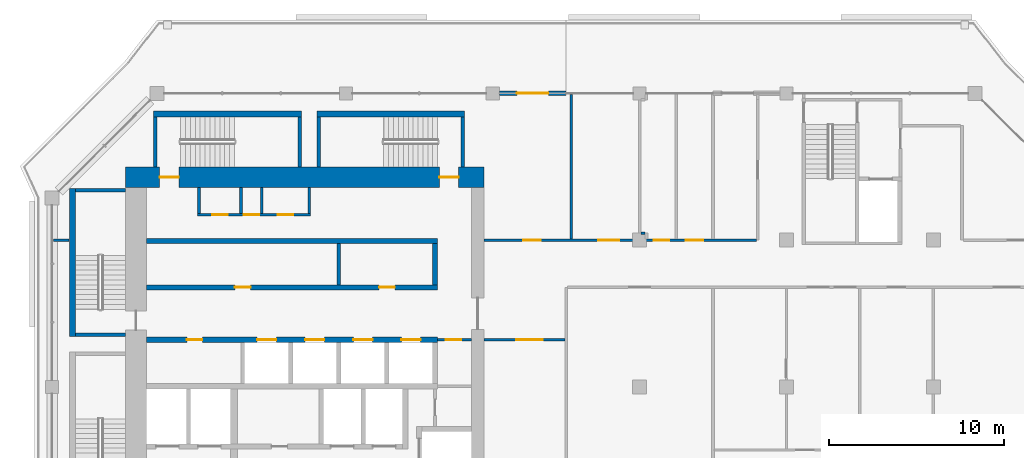
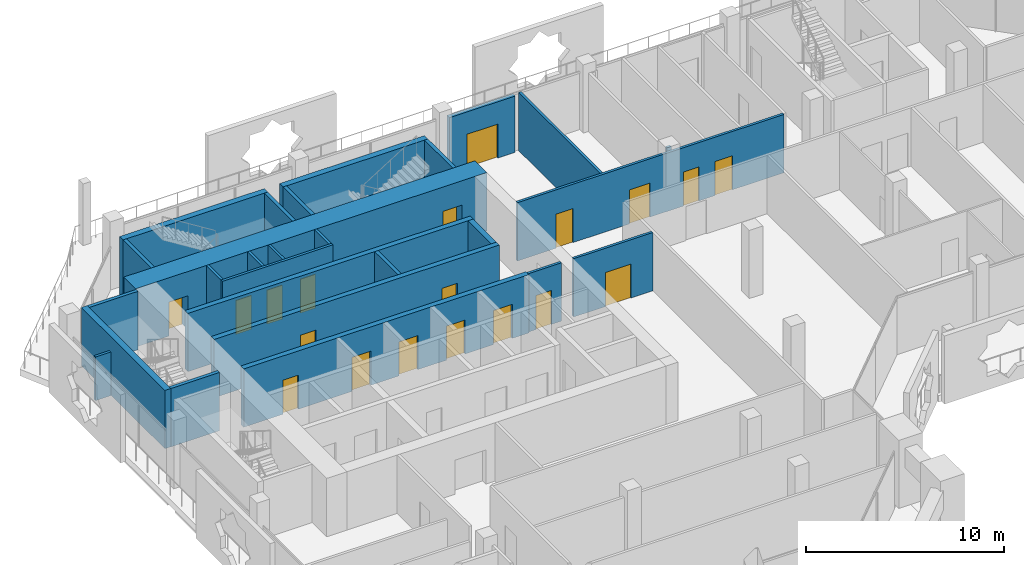
# One storey, part 12 of 20: 27 walls, 19 doors, 19 openings.
"""IFC4 building model written with IfcOpenShell, lengths in metres."""

from ifc_helpers import new_model, si_unit, direction, frame, frame_2d, origin, place, context, subcontext, project, spatial, rectangle, extrude, material, layer, layer_set, type_object, element, fill, save


model = new_model("IFC4")

# Units and contexts
model_context = context("Model", 3, precision=1e-05, world=origin(), true_north=direction((0.0, 1.0)))
body_context = subcontext(model_context, "Body", "Model", "MODEL_VIEW")
ifc_project = project(units=[si_unit("LENGTHUNIT", "METRE"), si_unit("AREAUNIT", "SQUARE_METRE"), si_unit("VOLUMEUNIT", "CUBIC_METRE"), si_unit("PLANEANGLEUNIT", "RADIAN"), si_unit("MASSUNIT", "GRAM", prefix="KILO")], contexts=[model_context])

# Site, building, storey
site_placement = place(None, origin())
site = spatial("IfcSite", under=ifc_project, at=site_placement, CompositionType="ELEMENT")
building_placement = place(site_placement, origin())
building = spatial("IfcBuilding", under=site, at=building_placement, Name="Kawkab Arch Medical Tower", CompositionType="ELEMENT")
storey_placement = place(building_placement, frame((0.0, 0.0, 290.199951171875)))
storey = spatial("IfcBuildingStorey", under=building, at=storey_placement, Name="L67", CompositionType="ELEMENT", Elevation=290.199951171875)

# Wall, openings, doors
ifc_material_1 = material(Name="Concrete C50/60", Category="concrete")
ifc_layer_1 = layer(ifc_material_1, 1.199951171875)
ifc_layer_set_1 = layer_set([ifc_layer_1], Name="Concrete C50/60")
wall_type_1 = type_object("IfcWallType", Name="Core ring wall 1200 C50/60", PredefinedType="SHEAR", material=ifc_layer_set_1)
wall_1_placement = place(storey_placement, frame((4.199951171875, -4.800048828125, 0.0), z_axis=(0.0, 0.0, 1.0), x_axis=(1.0, 0.0, 0.0)))
wall_1 = element("IfcWall", 1, at=wall_1_placement, inside=storey, type_object=wall_type_1, Name="L67 core wall", PredefinedType="SHEAR", context=body_context, shape_type="SweptSolid", body=[
    extrude(rectangle(XDim=20.5, YDim=1.199951171875, at=frame_2d((10.25, 0.0))), origin(), (0.0, 0.0, 1.0), 3.60009765625),
])
opening_1_placement = place(wall_1_placement, frame((1.949951171875, 0.0, 0.0)))
opening_1 = element("IfcOpeningElement", 2, at=opening_1_placement, cuts=wall_1, Name="Opening SD", PredefinedType="OPENING", context=body_context, shape_type="SweptSolid", body=[
    extrude(rectangle(XDim=1.10009765625, YDim=2.10009765625, at=frame_2d((0.550048828125, 1.050048828125))), frame((0.0, 0.60986328125, 0.0), z_axis=(0.0, -1.0, 0.0), x_axis=(1.0, 0.0, 0.0)), (0.0, 0.0, 1.0), 1.219970703125),
])
opening_2_placement = place(wall_1_placement, frame((17.949951171875, 0.0, 0.0)))
opening_2 = element("IfcOpeningElement", 3, at=opening_2_placement, cuts=wall_1, Name="Opening SD", PredefinedType="OPENING", context=body_context, shape_type="SweptSolid", body=[
    extrude(rectangle(XDim=1.10009765625, YDim=2.10009765625, at=frame_2d((0.550048828125, 1.050048828125))), frame((0.0, 0.60986328125, 0.0), z_axis=(0.0, -1.0, 0.0), x_axis=(1.0, 0.0, 0.0)), (0.0, 0.0, 1.0), 1.219970703125),
])
ifc_material_2 = material(Name="Hollow metal fire door leaf")
door_type_1 = type_object("IfcDoorType", Name="Exit stair door 1100", OperationType="SINGLE_SWING_LEFT", PredefinedType="DOOR", material=ifc_material_2)
door_1_placement = place(opening_1_placement, origin())
door_1 = element("IfcDoor", 4, at=door_1_placement, inside=storey, type_object=door_type_1, Name="L67 Exit stair ST3 door", OperationType="SINGLE_SWING_LEFT", OverallHeight=2.10009765625, OverallWidth=1.10009765625, PredefinedType="DOOR", context=body_context, shape_type="SweptSolid", body=[
    extrude(rectangle(XDim=1.10009765625, YDim=2.10009765625, at=frame_2d((0.550048828125, 1.050048828125))), frame((0.0, 0.02490234375, 0.0), z_axis=(0.0, -1.0, 0.0), x_axis=(1.0, 0.0, 0.0)), (0.0, 0.0, 1.0), 0.050048828125),
])
fill(opening_1, door_1)
door_2_placement = place(opening_2_placement, origin())
door_2 = element("IfcDoor", 5, at=door_2_placement, inside=storey, type_object=door_type_1, Name="L67 Exit stair ST4 door", OperationType="SINGLE_SWING_LEFT", OverallHeight=2.10009765625, OverallWidth=1.10009765625, PredefinedType="DOOR", context=body_context, shape_type="SweptSolid", body=[
    extrude(rectangle(XDim=1.10009765625, YDim=2.10009765625, at=frame_2d((0.550048828125, 1.050048828125))), frame((0.0, 0.02490234375, 0.0), z_axis=(0.0, -1.0, 0.0), x_axis=(1.0, 0.0, 0.0)), (0.0, 0.0, 1.0), 0.050048828125),
])
fill(opening_2, door_2)

# Wall, opening, door
ifc_material_3 = material(Name="Gypsum board on steel studs", Category="steel")
ifc_layer_2 = layer(ifc_material_3, 0.14990234375)
ifc_layer_set_2 = layer_set([ifc_layer_2], Name="Gypsum board on steel studs")
wall_type_2 = type_object("IfcWallType", Name="Core room partition 150", PredefinedType="PARTITIONING", material=ifc_layer_set_2)
wall_2_placement = place(storey_placement, frame((22.050048828125, -14.10009765625, 0.0), z_axis=(0.0, 0.0, 1.0), x_axis=(1.0, 0.0, 0.0)))
wall_2 = element("IfcWall", 6, at=wall_2_placement, inside=storey, type_object=wall_type_2, Name="L67 core room partition", PredefinedType="PARTITIONING", context=body_context, shape_type="SweptSolid", body=[
    extrude(rectangle(XDim=1.949951171875, YDim=0.14990234375, at=frame_2d((0.97509765625, 0.0))), origin(), (0.0, 0.0, 1.0), 3.60009765625),
])
opening_3_placement = place(wall_2_placement, frame((0.449951171875, 0.0, 0.0)))
opening_3 = element("IfcOpeningElement", 7, at=opening_3_placement, cuts=wall_2, Name="Opening RD", PredefinedType="OPENING", context=body_context, shape_type="SweptSolid", body=[
    extrude(rectangle(XDim=0.89990234375, YDim=2.10009765625, at=frame_2d((0.449951171875, 1.050048828125))), frame((0.0, 0.0849609375, 0.0), z_axis=(0.0, -1.0, 0.0), x_axis=(1.0, 0.0, 0.0)), (0.0, 0.0, 1.0), 0.169921875),
])
ifc_material_4 = material(Name="Hollow metal fire door leaf")
door_type_2 = type_object("IfcDoorType", Name="Core room door 900", OperationType="SINGLE_SWING_LEFT", PredefinedType="DOOR", material=ifc_material_4)
door_3_placement = place(opening_3_placement, origin())
door_3 = element("IfcDoor", 8, at=door_3_placement, inside=storey, type_object=door_type_2, Name="L67 Medication store door", OperationType="SINGLE_SWING_LEFT", OverallHeight=2.10009765625, OverallWidth=0.89990234375, PredefinedType="DOOR", context=body_context, shape_type="SweptSolid", body=[
    extrude(rectangle(XDim=0.89990234375, YDim=2.10009765625, at=frame_2d((0.449951171875, 1.050048828125))), frame((0.0, 0.02490234375, 0.0), z_axis=(0.0, -1.0, 0.0), x_axis=(1.0, 0.0, 0.0)), (0.0, 0.0, 1.0), 0.050048828125),
])
fill(opening_3, door_3)

# Wall, openings, doors
wall_3_placement = place(storey_placement, frame((8.324951171875, -6.949951171875, 0.0), z_axis=(0.0, 0.0, 1.0), x_axis=(1.0, 0.0, 0.0)))
wall_3 = element("IfcWall", 9, at=wall_3_placement, inside=storey, type_object=wall_type_2, Name="L67 core room partition", PredefinedType="PARTITIONING", context=body_context, shape_type="SweptSolid", body=[
    extrude(rectangle(XDim=6.449951171875, YDim=0.14990234375, at=frame_2d((3.22509765625, 0.0))), origin(), (0.0, 0.0, 1.0), 3.60009765625),
])
opening_4_placement = place(wall_3_placement, frame((0.824951171875, 0.0, 0.0)))
opening_4 = element("IfcOpeningElement", 10, at=opening_4_placement, cuts=wall_3, Name="Opening RD", PredefinedType="OPENING", context=body_context, shape_type="SweptSolid", body=[
    extrude(rectangle(XDim=0.89990234375, YDim=2.10009765625, at=frame_2d((0.449951171875, 1.050048828125))), frame((0.0, 0.0849609375, 0.0), z_axis=(0.0, -1.0, 0.0), x_axis=(1.0, 0.0, 0.0)), (0.0, 0.0, 1.0), 0.169921875),
])
opening_5_placement = place(wall_3_placement, frame((2.625, 0.0, 0.0)))
opening_5 = element("IfcOpeningElement", 11, at=opening_5_placement, cuts=wall_3, Name="Opening RD", PredefinedType="OPENING", context=body_context, shape_type="SweptSolid", body=[
    extrude(rectangle(XDim=0.89990234375, YDim=2.10009765625, at=frame_2d((0.449951171875, 1.050048828125))), frame((0.0, 0.0849609375, 0.0), z_axis=(0.0, -1.0, 0.0), x_axis=(1.0, 0.0, 0.0)), (0.0, 0.0, 1.0), 0.169921875),
])
opening_6_placement = place(wall_3_placement, frame((4.574951171875, 0.0, 0.0)))
opening_6 = element("IfcOpeningElement", 12, at=opening_6_placement, cuts=wall_3, Name="Opening RD", PredefinedType="OPENING", context=body_context, shape_type="SweptSolid", body=[
    extrude(rectangle(XDim=0.89990234375, YDim=2.10009765625, at=frame_2d((0.449951171875, 1.050048828125))), frame((0.0, 0.0849609375, 0.0), z_axis=(0.0, -1.0, 0.0), x_axis=(1.0, 0.0, 0.0)), (0.0, 0.0, 1.0), 0.169921875),
])
door_4_placement = place(opening_4_placement, origin())
door_4 = element("IfcDoor", 13, at=door_4_placement, inside=storey, type_object=door_type_2, Name="L67 Housekeeping store door", OperationType="SINGLE_SWING_LEFT", OverallHeight=2.10009765625, OverallWidth=0.89990234375, PredefinedType="DOOR", context=body_context, shape_type="SweptSolid", body=[
    extrude(rectangle(XDim=0.89990234375, YDim=2.10009765625, at=frame_2d((0.449951171875, 1.050048828125))), frame((0.0, 0.02490234375, 0.0), z_axis=(0.0, -1.0, 0.0), x_axis=(1.0, 0.0, 0.0)), (0.0, 0.0, 1.0), 0.050048828125),
])
fill(opening_4, door_4)
door_5_placement = place(opening_5_placement, origin())
door_5 = element("IfcDoor", 14, at=door_5_placement, inside=storey, type_object=door_type_2, Name="L67 Electrical riser room door", OperationType="SINGLE_SWING_LEFT", OverallHeight=2.10009765625, OverallWidth=0.89990234375, PredefinedType="DOOR", context=body_context, shape_type="SweptSolid", body=[
    extrude(rectangle(XDim=0.89990234375, YDim=2.10009765625, at=frame_2d((0.449951171875, 1.050048828125))), frame((0.0, 0.02490234375, 0.0), z_axis=(0.0, -1.0, 0.0), x_axis=(1.0, 0.0, 0.0)), (0.0, 0.0, 1.0), 0.050048828125),
])
fill(opening_5, door_5)
door_6_placement = place(opening_6_placement, origin())
door_6 = element("IfcDoor", 15, at=door_6_placement, inside=storey, type_object=door_type_2, Name="L67 Equipment store door", OperationType="SINGLE_SWING_LEFT", OverallHeight=2.10009765625, OverallWidth=0.89990234375, PredefinedType="DOOR", context=body_context, shape_type="SweptSolid", body=[
    extrude(rectangle(XDim=0.89990234375, YDim=2.10009765625, at=frame_2d((0.449951171875, 1.050048828125))), frame((0.0, 0.02490234375, 0.0), z_axis=(0.0, -1.0, 0.0), x_axis=(1.0, 0.0, 0.0)), (0.0, 0.0, 1.0), 0.050048828125),
])
fill(opening_6, door_6)

# Walls
for number, where, z_axis, x_axis, name in (
    (16, (8.39990234375, -6.875, 0.0), (0.0, 0.0, 1.0), (0.0, 1.0, 0.0), "L67 core room partition"),
    (17, (10.800048828125, -6.875, 0.0), (0.0, 0.0, 1.0), (0.0, 1.0, 0.0), "L67 core room partition"),
    (18, (12.0, -6.875, 0.0), (0.0, 0.0, 1.0), (0.0, 1.0, 0.0), "L67 core room partition"),
    (19, (14.699951171875, -6.875, 0.0), (0.0, 0.0, 1.0), (0.0, 1.0, 0.0), "L67 core room partition"),
):
    element("IfcWall", number, at=place(storey_placement, frame(where, z_axis=z_axis, x_axis=x_axis)), inside=storey, type_object=wall_type_2, Name=name, PredefinedType="PARTITIONING", context=body_context, shape_type="SweptSolid", body=[
        extrude(rectangle(XDim=1.47509765625, YDim=0.14990234375, at=frame_2d((0.737548828125, 0.0))), origin(), (0.0, 0.0, 1.0), 3.60009765625),
    ])
ifc_material_5 = material(Name="Concrete C60/75", Category="concrete")
ifc_layer_3 = layer(ifc_material_5, 0.300048828125)
ifc_layer_set_3 = layer_set([ifc_layer_3], Name="Concrete C60/75")
wall_type_3 = type_object("IfcWallType", Name="Core shear wall 300 C60/75", PredefinedType="SHEAR", material=ifc_layer_set_3)
wall_4_placement = place(storey_placement, frame((5.39990234375, -8.449951171875, 0.0), z_axis=(0.0, 0.0, 1.0), x_axis=(1.0, 0.0, 0.0)))
element("IfcWall", 20, at=wall_4_placement, inside=storey, type_object=wall_type_3, Name="L67 core shear wall", PredefinedType="SHEAR", context=body_context, shape_type="SweptSolid", body=[
    extrude(rectangle(XDim=16.650146484375, YDim=0.300048828125, at=frame_2d((8.3251953125, 0.0))), origin(), (0.0, 0.0, 1.0), 3.60009765625),
])

# Wall, openings, doors
wall_5_placement = place(storey_placement, frame((5.39990234375, -11.10009765625, 0.0), z_axis=(0.0, 0.0, 1.0), x_axis=(1.0, 0.0, 0.0)))
wall_5 = element("IfcWall", 21, at=wall_5_placement, inside=storey, type_object=wall_type_3, Name="L67 core shear wall", PredefinedType="SHEAR", context=body_context, shape_type="SweptSolid", body=[
    extrude(rectangle(XDim=16.650146484375, YDim=0.300048828125, at=frame_2d((8.3251953125, 0.0))), origin(), (0.0, 0.0, 1.0), 3.60009765625),
])
opening_7_placement = place(wall_5_placement, frame((5.050048828125, 0.0, 0.0)))
opening_7 = element("IfcOpeningElement", 22, at=opening_7_placement, cuts=wall_5, Name="Opening RD", PredefinedType="OPENING", context=body_context, shape_type="SweptSolid", body=[
    extrude(rectangle(XDim=0.89990234375, YDim=2.10009765625, at=frame_2d((0.449951171875, 1.050048828125))), frame((0.0, 0.159912109375, 0.0), z_axis=(0.0, -1.0, 0.0), x_axis=(1.0, 0.0, 0.0)), (0.0, 0.0, 1.0), 0.320068359375),
])
opening_8_placement = place(wall_5_placement, frame((13.300048828125, 0.0, 0.0)))
opening_8 = element("IfcOpeningElement", 23, at=opening_8_placement, cuts=wall_5, Name="Opening RD", PredefinedType="OPENING", context=body_context, shape_type="SweptSolid", body=[
    extrude(rectangle(XDim=0.89990234375, YDim=2.10009765625, at=frame_2d((0.449951171875, 1.050048828125))), frame((0.0, 0.159912109375, 0.0), z_axis=(0.0, -1.0, 0.0), x_axis=(1.0, 0.0, 0.0)), (0.0, 0.0, 1.0), 0.320068359375),
])
door_7_placement = place(opening_7_placement, origin())
door_7 = element("IfcDoor", 24, at=door_7_placement, inside=storey, type_object=door_type_2, Name="L67 Housekeeping store door", OperationType="SINGLE_SWING_LEFT", OverallHeight=2.10009765625, OverallWidth=0.89990234375, PredefinedType="DOOR", context=body_context, shape_type="SweptSolid", body=[
    extrude(rectangle(XDim=0.89990234375, YDim=2.10009765625, at=frame_2d((0.449951171875, 1.050048828125))), frame((0.0, 0.02490234375, 0.0), z_axis=(0.0, -1.0, 0.0), x_axis=(1.0, 0.0, 0.0)), (0.0, 0.0, 1.0), 0.050048828125),
])
fill(opening_7, door_7)
door_8_placement = place(opening_8_placement, origin())
door_8 = element("IfcDoor", 25, at=door_8_placement, inside=storey, type_object=door_type_2, Name="L67 Medication store door", OperationType="SINGLE_SWING_LEFT", OverallHeight=2.10009765625, OverallWidth=0.89990234375, PredefinedType="DOOR", context=body_context, shape_type="SweptSolid", body=[
    extrude(rectangle(XDim=0.89990234375, YDim=2.10009765625, at=frame_2d((0.449951171875, 1.050048828125))), frame((0.0, 0.02490234375, 0.0), z_axis=(0.0, -1.0, 0.0), x_axis=(1.0, 0.0, 0.0)), (0.0, 0.0, 1.0), 0.050048828125),
])
fill(opening_8, door_8)

wall_6_placement = place(storey_placement, frame((5.39990234375, -14.10009765625, 0.0), z_axis=(0.0, 0.0, 1.0), x_axis=(1.0, 0.0, 0.0)))
wall_6 = element("IfcWall", 26, at=wall_6_placement, inside=storey, type_object=wall_type_3, Name="L67 core shear wall", PredefinedType="SHEAR", context=body_context, shape_type="SweptSolid", body=[
    extrude(rectangle(XDim=16.650146484375, YDim=0.300048828125, at=frame_2d((8.3251953125, 0.0))), origin(), (0.0, 0.0, 1.0), 3.60009765625),
])
opening_9_placement = place(wall_6_placement, frame((6.324951171875, 0.0, 0.0)))
opening_9 = element("IfcOpeningElement", 27, at=opening_9_placement, cuts=wall_6, Name="Opening LD1", PredefinedType="OPENING", context=body_context, shape_type="SweptSolid", body=[
    extrude(rectangle(XDim=1.10009765625, YDim=2.10009765625, at=frame_2d((0.550048828125, 1.050048828125))), frame((0.0, 0.159912109375, 0.0), z_axis=(0.0, -1.0, 0.0), x_axis=(1.0, 0.0, 0.0)), (0.0, 0.0, 1.0), 0.320068359375),
])
opening_10_placement = place(wall_6_placement, frame((9.074951171875, 0.0, 0.0)))
opening_10 = element("IfcOpeningElement", 28, at=opening_10_placement, cuts=wall_6, Name="Opening LD1", PredefinedType="OPENING", context=body_context, shape_type="SweptSolid", body=[
    extrude(rectangle(XDim=1.10009765625, YDim=2.10009765625, at=frame_2d((0.550048828125, 1.050048828125))), frame((0.0, 0.159912109375, 0.0), z_axis=(0.0, -1.0, 0.0), x_axis=(1.0, 0.0, 0.0)), (0.0, 0.0, 1.0), 0.320068359375),
])
opening_11_placement = place(wall_6_placement, frame((11.824951171875, 0.0, 0.0)))
opening_11 = element("IfcOpeningElement", 29, at=opening_11_placement, cuts=wall_6, Name="Opening LD1", PredefinedType="OPENING", context=body_context, shape_type="SweptSolid", body=[
    extrude(rectangle(XDim=1.10009765625, YDim=2.10009765625, at=frame_2d((0.550048828125, 1.050048828125))), frame((0.0, 0.159912109375, 0.0), z_axis=(0.0, -1.0, 0.0), x_axis=(1.0, 0.0, 0.0)), (0.0, 0.0, 1.0), 0.320068359375),
])
opening_12_placement = place(wall_6_placement, frame((14.574951171875, 0.0, 0.0)))
opening_12 = element("IfcOpeningElement", 30, at=opening_12_placement, cuts=wall_6, Name="Opening LD1", PredefinedType="OPENING", context=body_context, shape_type="SweptSolid", body=[
    extrude(rectangle(XDim=1.10009765625, YDim=2.10009765625, at=frame_2d((0.550048828125, 1.050048828125))), frame((0.0, 0.159912109375, 0.0), z_axis=(0.0, -1.0, 0.0), x_axis=(1.0, 0.0, 0.0)), (0.0, 0.0, 1.0), 0.320068359375),
])
opening_13_placement = place(wall_6_placement, frame((2.300048828125, 0.0, 0.0)))
opening_13 = element("IfcOpeningElement", 31, at=opening_13_placement, cuts=wall_6, Name="Opening RD", PredefinedType="OPENING", context=body_context, shape_type="SweptSolid", body=[
    extrude(rectangle(XDim=0.89990234375, YDim=2.10009765625, at=frame_2d((0.449951171875, 1.050048828125))), frame((0.0, 0.159912109375, 0.0), z_axis=(0.0, -1.0, 0.0), x_axis=(1.0, 0.0, 0.0)), (0.0, 0.0, 1.0), 0.320068359375),
])
door_9_placement = place(opening_13_placement, origin())
door_9 = element("IfcDoor", 32, at=door_9_placement, inside=storey, type_object=door_type_2, Name="L67 General store door", OperationType="SINGLE_SWING_LEFT", OverallHeight=2.10009765625, OverallWidth=0.89990234375, PredefinedType="DOOR", context=body_context, shape_type="SweptSolid", body=[
    extrude(rectangle(XDim=0.89990234375, YDim=2.10009765625, at=frame_2d((0.449951171875, 1.050048828125))), frame((0.0, 0.02490234375, 0.0), z_axis=(0.0, -1.0, 0.0), x_axis=(1.0, 0.0, 0.0)), (0.0, 0.0, 1.0), 0.050048828125),
])
fill(opening_13, door_9)
ifc_material_6 = material(Name="Stainless steel lift door leaf", Category="steel")
door_type_3 = type_object("IfcDoorType", Name="Lift landing door 1100", OperationType="DOUBLE_DOOR_SLIDING", PredefinedType="DOOR", material=ifc_material_6)
door_10_placement = place(opening_9_placement, origin())
door_10 = element("IfcDoor", 33, at=door_10_placement, inside=storey, type_object=door_type_3, Name="L67 Lift landing door HP1", OperationType="DOUBLE_DOOR_SLIDING", OverallHeight=2.10009765625, OverallWidth=1.10009765625, PredefinedType="DOOR", context=body_context, shape_type="SweptSolid", body=[
    extrude(rectangle(XDim=1.10009765625, YDim=2.10009765625, at=frame_2d((0.550048828125, 1.050048828125))), frame((0.0, 0.02490234375, 0.0), z_axis=(0.0, -1.0, 0.0), x_axis=(1.0, 0.0, 0.0)), (0.0, 0.0, 1.0), 0.050048828125),
])
fill(opening_9, door_10)
door_11_placement = place(opening_10_placement, origin())
door_11 = element("IfcDoor", 34, at=door_11_placement, inside=storey, type_object=door_type_3, Name="L67 Lift landing door HP2", OperationType="DOUBLE_DOOR_SLIDING", OverallHeight=2.10009765625, OverallWidth=1.10009765625, PredefinedType="DOOR", context=body_context, shape_type="SweptSolid", body=[
    extrude(rectangle(XDim=1.10009765625, YDim=2.10009765625, at=frame_2d((0.550048828125, 1.050048828125))), frame((0.0, 0.02490234375, 0.0), z_axis=(0.0, -1.0, 0.0), x_axis=(1.0, 0.0, 0.0)), (0.0, 0.0, 1.0), 0.050048828125),
])
fill(opening_10, door_11)
door_12_placement = place(opening_11_placement, origin())
door_12 = element("IfcDoor", 35, at=door_12_placement, inside=storey, type_object=door_type_3, Name="L67 Lift landing door HP3", OperationType="DOUBLE_DOOR_SLIDING", OverallHeight=2.10009765625, OverallWidth=1.10009765625, PredefinedType="DOOR", context=body_context, shape_type="SweptSolid", body=[
    extrude(rectangle(XDim=1.10009765625, YDim=2.10009765625, at=frame_2d((0.550048828125, 1.050048828125))), frame((0.0, 0.02490234375, 0.0), z_axis=(0.0, -1.0, 0.0), x_axis=(1.0, 0.0, 0.0)), (0.0, 0.0, 1.0), 0.050048828125),
])
fill(opening_11, door_12)
door_13_placement = place(opening_12_placement, origin())
door_13 = element("IfcDoor", 36, at=door_13_placement, inside=storey, type_object=door_type_3, Name="L67 Lift landing door HP4", OperationType="DOUBLE_DOOR_SLIDING", OverallHeight=2.10009765625, OverallWidth=1.10009765625, PredefinedType="DOOR", context=body_context, shape_type="SweptSolid", body=[
    extrude(rectangle(XDim=1.10009765625, YDim=2.10009765625, at=frame_2d((0.550048828125, 1.050048828125))), frame((0.0, 0.02490234375, 0.0), z_axis=(0.0, -1.0, 0.0), x_axis=(1.0, 0.0, 0.0)), (0.0, 0.0, 1.0), 0.050048828125),
])
fill(opening_12, door_13)

# Wall
wall_7_placement = place(storey_placement, frame((21.89990234375, -10.949951171875, 0.0), z_axis=(0.0, 0.0, 1.0), x_axis=(0.0, 1.0, 0.0)))
element("IfcWall", 37, at=wall_7_placement, inside=storey, type_object=wall_type_3, Name="L67 core shear wall", PredefinedType="SHEAR", context=body_context, shape_type="SweptSolid", body=[
    extrude(rectangle(XDim=2.349853515625, YDim=0.300048828125, at=frame_2d((1.1748046875, 0.0))), origin(), (0.0, 0.0, 1.0), 3.60009765625),
])

# Wall, opening, door
ifc_material_7 = material(Name="Bronze clad insulated wall panel")
ifc_layer_4 = layer(ifc_material_7, 0.25)
ifc_layer_set_4 = layer_set([ifc_layer_4], Name="Bronze clad insulated wall panel")
wall_type_4 = type_object("IfcWallType", Name="External wall bay 250", PredefinedType="SOLIDWALL", material=ifc_layer_set_4)
wall_8_placement = place(storey_placement, frame((29.39990234375, 0.0, 0.0), z_axis=(0.0, 0.0, 1.0), x_axis=(-1.0, 0.0, 0.0)))
wall_8 = element("IfcWall", 38, at=wall_8_placement, inside=storey, type_object=wall_type_4, Name="External wall bay L67.R15.3.2", PredefinedType="SOLIDWALL", context=body_context, shape_type="SweptSolid", body=[
    extrude(rectangle(XDim=3.824951171875, YDim=0.25, at=frame_2d((1.91259765625, 0.0))), origin(), (0.0, 0.0, 1.0), 3.47998046875),
])
opening_14_placement = place(wall_8_placement, frame((1.012451171875, 0.0, 0.0)))
opening_14 = element("IfcOpeningElement", 39, at=opening_14_placement, cuts=wall_8, Name="Opening W67-701", PredefinedType="OPENING", context=body_context, shape_type="SweptSolid", body=[
    extrude(rectangle(XDim=1.800048828125, YDim=2.10009765625, at=frame_2d((0.89990234375, 1.050048828125))), frame((0.0, 0.135009765625, 0.0), z_axis=(0.0, -1.0, 0.0), x_axis=(1.0, 0.0, 0.0)), (0.0, 0.0, 1.0), 0.27001953125),
])
ifc_material_8 = material(Name="Bronze anodised aluminium door with tinted glass", Category="aluminium")
door_type_4 = type_object("IfcDoorType", Name="Double external door 1800 x 2100", OperationType="DOUBLE_DOOR_SINGLE_SWING", PredefinedType="DOOR", material=ifc_material_8)
door_14_placement = place(opening_14_placement, origin())
door_14 = element("IfcDoor", 40, at=door_14_placement, inside=storey, type_object=door_type_4, Name="External door L67.R15.3.2", OperationType="DOUBLE_DOOR_SINGLE_SWING", OverallHeight=2.10009765625, OverallWidth=1.800048828125, PredefinedType="DOOR", context=body_context, shape_type="SweptSolid", body=[
    extrude(rectangle(XDim=1.800048828125, YDim=2.10009765625, at=frame_2d((0.89990234375, 1.050048828125))), frame((0.0, 0.02490234375, 0.0), z_axis=(0.0, -1.0, 0.0), x_axis=(1.0, 0.0, 0.0)), (0.0, 0.0, 1.0), 0.050048828125),
])
fill(opening_14, door_14)

# Wall
ifc_material_9 = material(Name="Dense concrete blockwork", Category="masonry")
ifc_layer_5 = layer(ifc_material_9, 0.199951171875)
ifc_layer_set_5 = layer_set([ifc_layer_5], Name="Dense concrete blockwork")
wall_type_5 = type_object("IfcWallType", Name="Lift shaft partition 200", PredefinedType="PARTITIONING", material=ifc_layer_set_5)
wall_9_placement = place(storey_placement, frame((16.39990234375, -10.949951171875, 0.0), z_axis=(0.0, 0.0, 1.0), x_axis=(0.0, 1.0, 0.0)))
element("IfcWall", 41, at=wall_9_placement, inside=storey, type_object=wall_type_5, Name="L67 lift shaft partition", PredefinedType="PARTITIONING", context=body_context, shape_type="SweptSolid", body=[
    extrude(rectangle(XDim=2.349853515625, YDim=0.199951171875, at=frame_2d((1.1748046875, 0.0))), origin(), (0.0, 0.0, 1.0), 3.60009765625),
])

# Wall, opening, door
ifc_material_10 = material(Name="Gypsum board partition on steel studs, mineral wool", Category="steel")
ifc_layer_6 = layer(ifc_material_10, 0.14990234375)
ifc_layer_set_6 = layer_set([ifc_layer_6], Name="Gypsum board partition on steel studs, mineral wool")
wall_type_6 = type_object("IfcWallType", Name="Partition 150", PredefinedType="PARTITIONING", material=ifc_layer_set_6)
wall_10_placement = place(storey_placement, frame((24.699951171875, -14.10009765625, 0.0), z_axis=(0.0, 0.0, 1.0), x_axis=(1.0, 0.0, 0.0)))
wall_10 = element("IfcWall", 42, at=wall_10_placement, inside=storey, type_object=wall_type_6, Name="Partition 150 w010", PredefinedType="PARTITIONING", context=body_context, shape_type="SweptSolid", body=[
    extrude(rectangle(XDim=4.625, YDim=0.14990234375, at=frame_2d((2.3125, 0.0))), origin(), (0.0, 0.0, 1.0), 3.60009765625),
])
opening_15_placement = place(wall_10_placement, frame((1.85009765625, 0.0, 0.0)))
opening_15 = element("IfcOpeningElement", 43, at=opening_15_placement, cuts=wall_10, Name="Opening W67-001", PredefinedType="OPENING", context=body_context, shape_type="SweptSolid", body=[
    extrude(rectangle(XDim=1.5, YDim=2.10009765625, at=frame_2d((0.75, 1.050048828125))), frame((0.0, 0.0849609375, 0.0), z_axis=(0.0, -1.0, 0.0), x_axis=(1.0, 0.0, 0.0)), (0.0, 0.0, 1.0), 0.169921875),
])
ifc_material_11 = material(Name="Hollow metal door leaf")
door_type_5 = type_object("IfcDoorType", Name="Double door 1500x2100 FD30S", OperationType="NOTDEFINED", PredefinedType="DOOR", material=ifc_material_11)
door_15_placement = place(opening_15_placement, origin())
door_15 = element("IfcDoor", 44, at=door_15_placement, inside=storey, type_object=door_type_5, Name="Door W67-001", OperationType="DOUBLE_DOOR_SINGLE_SWING", OverallHeight=2.10009765625, OverallWidth=1.5, PredefinedType="DOOR", context=body_context, shape_type="SweptSolid", body=[
    extrude(rectangle(XDim=1.5, YDim=2.10009765625, at=frame_2d((0.75, 1.050048828125))), frame((0.0, 0.02490234375, 0.0), z_axis=(0.0, -1.0, 0.0), x_axis=(1.0, 0.0, 0.0)), (0.0, 0.0, 1.0), 0.050048828125),
])
fill(opening_15, door_15)

# Wall
wall_11_placement = place(storey_placement, frame((0.080078125, -8.39990234375, 0.0), z_axis=(0.0, 0.0, 1.0), x_axis=(1.0, 0.0, 0.0)))
element("IfcWall", 45, at=wall_11_placement, inside=storey, type_object=wall_type_6, Name="Partition 150 w012", PredefinedType="PARTITIONING", context=body_context, shape_type="SweptSolid", body=[
    extrude(rectangle(XDim=0.889892578125, YDim=0.14990234375, at=frame_2d((0.44482421875, 0.0))), origin(), (0.0, 0.0, 1.0), 2.699951171875),
])

# Wall, openings, doors
wall_12_placement = place(storey_placement, frame((24.699951171875, -8.39990234375, 0.0), z_axis=(0.0, 0.0, 1.0), x_axis=(1.0, 0.0, 0.0)))
wall_12 = element("IfcWall", 46, at=wall_12_placement, inside=storey, type_object=wall_type_6, Name="Partition 150 w013", PredefinedType="PARTITIONING", context=body_context, shape_type="SweptSolid", body=[
    extrude(rectangle(XDim=15.58203125, YDim=0.14990234375, at=frame_2d((7.791015625, 0.0))), origin(), (0.0, 0.0, 1.0), 3.60009765625),
])
opening_16_placement = place(wall_12_placement, frame((2.25, 0.0, 0.0)))
opening_16 = element("IfcOpeningElement", 47, at=opening_16_placement, cuts=wall_12, Name="Opening W67-009", PredefinedType="OPENING", context=body_context, shape_type="SweptSolid", body=[
    extrude(rectangle(XDim=1.0, YDim=2.10009765625, at=frame_2d((0.5, 1.050048828125))), frame((0.0, 0.0849609375, 0.0), z_axis=(0.0, -1.0, 0.0), x_axis=(1.0, 0.0, 0.0)), (0.0, 0.0, 1.0), 0.169921875),
])
opening_17_placement = place(wall_12_placement, frame((6.550048828125, 0.0, 0.0)))
opening_17 = element("IfcOpeningElement", 48, at=opening_17_placement, cuts=wall_12, Name="Opening W67-015", PredefinedType="OPENING", context=body_context, shape_type="SweptSolid", body=[
    extrude(rectangle(XDim=1.199951171875, YDim=2.10009765625, at=frame_2d((0.60009765625, 1.050048828125))), frame((0.0, 0.0849609375, 0.0), z_axis=(0.0, -1.0, 0.0), x_axis=(1.0, 0.0, 0.0)), (0.0, 0.0, 1.0), 0.169921875),
])
opening_18_placement = place(wall_12_placement, frame((9.699951171875, 0.0, 0.0)))
opening_18 = element("IfcOpeningElement", 49, at=opening_18_placement, cuts=wall_12, Name="Opening W67-005", PredefinedType="OPENING", context=body_context, shape_type="SweptSolid", body=[
    extrude(rectangle(XDim=0.89990234375, YDim=2.10009765625, at=frame_2d((0.449951171875, 1.050048828125))), frame((0.0, 0.0849609375, 0.0), z_axis=(0.0, -1.0, 0.0), x_axis=(1.0, 0.0, 0.0)), (0.0, 0.0, 1.0), 0.169921875),
])
opening_19_placement = place(wall_12_placement, frame((11.550048828125, 0.0, 0.0)))
opening_19 = element("IfcOpeningElement", 50, at=opening_19_placement, cuts=wall_12, Name="Opening W67-008", PredefinedType="OPENING", context=body_context, shape_type="SweptSolid", body=[
    extrude(rectangle(XDim=1.0, YDim=2.10009765625, at=frame_2d((0.5, 1.050048828125))), frame((0.0, 0.0849609375, 0.0), z_axis=(0.0, -1.0, 0.0), x_axis=(1.0, 0.0, 0.0)), (0.0, 0.0, 1.0), 0.169921875),
])
ifc_material_12 = material(Name="Timber door leaf", Category="wood")
door_type_6 = type_object("IfcDoorType", Name="Single door 1000x2100", OperationType="NOTDEFINED", PredefinedType="DOOR", material=ifc_material_12)
door_16_placement = place(opening_19_placement, origin())
door_16 = element("IfcDoor", 51, at=door_16_placement, inside=storey, type_object=door_type_6, Name="Door W67-008", OperationType="SINGLE_SWING_RIGHT", OverallHeight=2.10009765625, OverallWidth=1.0, PredefinedType="DOOR", context=body_context, shape_type="SweptSolid", body=[
    extrude(rectangle(XDim=1.0, YDim=2.10009765625, at=frame_2d((0.5, 1.050048828125))), frame((0.0, 0.02490234375, 0.0), z_axis=(0.0, -1.0, 0.0), x_axis=(1.0, 0.0, 0.0)), (0.0, 0.0, 1.0), 0.050048828125),
])
fill(opening_19, door_16)
ifc_material_13 = material(Name="Hollow metal door leaf")
door_type_7 = type_object("IfcDoorType", Name="Single door 1000x2100 FD30S", OperationType="NOTDEFINED", PredefinedType="DOOR", material=ifc_material_13)
door_17_placement = place(opening_16_placement, origin())
door_17 = element("IfcDoor", 52, at=door_17_placement, inside=storey, type_object=door_type_7, Name="Door W67-009", OperationType="SINGLE_SWING_LEFT", OverallHeight=2.10009765625, OverallWidth=1.0, PredefinedType="DOOR", context=body_context, shape_type="SweptSolid", body=[
    extrude(rectangle(XDim=1.0, YDim=2.10009765625, at=frame_2d((0.5, 1.050048828125))), frame((0.0, 0.02490234375, 0.0), z_axis=(0.0, -1.0, 0.0), x_axis=(1.0, 0.0, 0.0)), (0.0, 0.0, 1.0), 0.050048828125),
])
fill(opening_16, door_17)
ifc_material_14 = material(Name="Hollow metal door leaf")
door_type_8 = type_object("IfcDoorType", Name="Single door 1200x2100 FD30S", OperationType="NOTDEFINED", PredefinedType="DOOR", material=ifc_material_14)
door_18_placement = place(opening_17_placement, origin())
door_18 = element("IfcDoor", 53, at=door_18_placement, inside=storey, type_object=door_type_8, Name="Door W67-015", OperationType="SINGLE_SWING_LEFT", OverallHeight=2.10009765625, OverallWidth=1.199951171875, PredefinedType="DOOR", context=body_context, shape_type="SweptSolid", body=[
    extrude(rectangle(XDim=1.199951171875, YDim=2.10009765625, at=frame_2d((0.60009765625, 1.050048828125))), frame((0.0, 0.02490234375, 0.0), z_axis=(0.0, -1.0, 0.0), x_axis=(1.0, 0.0, 0.0)), (0.0, 0.0, 1.0), 0.050048828125),
])
fill(opening_17, door_18)
ifc_material_15 = material(Name="Timber door leaf", Category="wood")
door_type_9 = type_object("IfcDoorType", Name="Single door 900x2100", OperationType="NOTDEFINED", PredefinedType="DOOR", material=ifc_material_15)
door_19_placement = place(opening_18_placement, origin())
door_19 = element("IfcDoor", 54, at=door_19_placement, inside=storey, type_object=door_type_9, Name="Door W67-005", OperationType="SINGLE_SWING_RIGHT", OverallHeight=2.10009765625, OverallWidth=0.89990234375, PredefinedType="DOOR", context=body_context, shape_type="SweptSolid", body=[
    extrude(rectangle(XDim=0.89990234375, YDim=2.10009765625, at=frame_2d((0.449951171875, 1.050048828125))), frame((0.0, 0.02490234375, 0.0), z_axis=(0.0, -1.0, 0.0), x_axis=(1.0, 0.0, 0.0)), (0.0, 0.0, 1.0), 0.050048828125),
])
fill(opening_18, door_19)

# Walls
wall_13_placement = place(storey_placement, frame((33.677001953125, -8.0, 0.0), z_axis=(0.0, 0.0, 1.0), x_axis=(1.0, 0.0, 0.0)))
element("IfcWall", 55, at=wall_13_placement, inside=storey, type_object=wall_type_6, Name="Partition 150 w015", PredefinedType="PARTITIONING", context=body_context, shape_type="SweptSolid", body=[
    extrude(rectangle(XDim=0.248046875, YDim=0.14990234375, at=frame_2d((0.1240234375, 0.0))), origin(), (0.0, 0.0, 1.0), 3.60009765625),
])
wall_14_placement = place(storey_placement, frame((29.699951171875, -8.324951171875, 0.0), z_axis=(0.0, 0.0, 1.0), x_axis=(0.0, 1.0, 0.0)))
element("IfcWall", 56, at=wall_14_placement, inside=storey, type_object=wall_type_6, Name="Partition 150 w022", PredefinedType="PARTITIONING", context=body_context, shape_type="SweptSolid", body=[
    extrude(rectangle(XDim=8.244873046875, YDim=0.14990234375, at=frame_2d((4.12255859375, 0.0))), origin(), (0.0, 0.0, 1.0), 3.60009765625),
])
ifc_material_16 = material(Name="Concrete C50/60", Category="concrete")
ifc_layer_7 = layer(ifc_material_16, 0.199951171875)
ifc_layer_set_7 = layer_set([ifc_layer_7], Name="Concrete C50/60")
wall_type_7 = type_object("IfcWallType", Name="Stair enclosure wall 200 C50/60", PredefinedType="SHEAR", material=ifc_layer_set_7)
for number, where, z_axis, x_axis, name in (
    (57, (1.35009765625, -5.550048828125, 0.0), (0.0, 0.0, 1.0), (1.0, 0.0, 0.0), "L67 stair enclosure wall"),
    (58, (1.35009765625, -13.800048828125, 0.0), (0.0, 0.0, 1.0), (1.0, 0.0, 0.0), "L67 stair enclosure wall"),
    (59, (5.89990234375, -4.199951171875, 0.0), (0.0, 0.0, 1.0), (0.0, 1.0, 0.0), "L67 stair enclosure wall"),
    (60, (14.14990234375, -4.199951171875, 0.0), (0.0, 0.0, 1.0), (0.0, 1.0, 0.0), "L67 stair enclosure wall"),
    (61, (15.25, -4.199951171875, 0.0), (0.0, 0.0, 1.0), (0.0, 1.0, 0.0), "L67 stair enclosure wall"),
    (62, (23.5, -4.199951171875, 0.0), (0.0, 0.0, 1.0), (0.0, 1.0, 0.0), "L67 stair enclosure wall"),
):
    element("IfcWall", number, at=place(storey_placement, frame(where, z_axis=z_axis, x_axis=x_axis)), inside=storey, type_object=wall_type_7, Name=name, PredefinedType="SHEAR", context=body_context, shape_type="SweptSolid", body=[
        extrude(rectangle(XDim=2.849853515625, YDim=0.199951171875, at=frame_2d((1.4248046875, 0.0))), origin(), (0.0, 0.0, 1.0), 3.60009765625),
    ])
ifc_material_17 = material(Name="Concrete C50/60", Category="concrete")
ifc_layer_8 = layer(ifc_material_17, 0.35009765625)
ifc_layer_set_8 = layer_set([ifc_layer_8], Name="Concrete C50/60")
wall_type_8 = type_object("IfcWallType", Name="Stair enclosure wall 350 C50/60", PredefinedType="SHEAR", material=ifc_layer_set_8)
for number, where, z_axis, x_axis, name in (
    (63, (1.175048828125, -13.89990234375, 0.0), (0.0, 0.0, 1.0), (0.0, 1.0, 0.0), "L67 stair enclosure wall"),
    (64, (5.800048828125, -1.175048828125, 0.0), (0.0, 0.0, 1.0), (1.0, 0.0, 0.0), "L67 stair enclosure wall"),
):
    element("IfcWall", number, at=place(storey_placement, frame(where, z_axis=z_axis, x_axis=x_axis)), inside=storey, type_object=wall_type_8, Name=name, PredefinedType="SHEAR", context=body_context, shape_type="SweptSolid", body=[
        extrude(rectangle(XDim=8.449951171875, YDim=0.35009765625, at=frame_2d((4.22509765625, 0.0))), origin(), (0.0, 0.0, 1.0), 3.60009765625),
    ])
wall_15_placement = place(storey_placement, frame((15.14990234375, -1.175048828125, 0.0), z_axis=(0.0, 0.0, 1.0), x_axis=(1.0, 0.0, 0.0)))
element("IfcWall", 65, at=wall_15_placement, inside=storey, type_object=wall_type_8, Name="L67 stair enclosure wall", PredefinedType="SHEAR", context=body_context, shape_type="SweptSolid", body=[
    extrude(rectangle(XDim=8.4501953125, YDim=0.35009765625, at=frame_2d((4.22509765625, 0.0))), origin(), (0.0, 0.0, 1.0), 3.60009765625),
])

save(model, "model.ifc")
